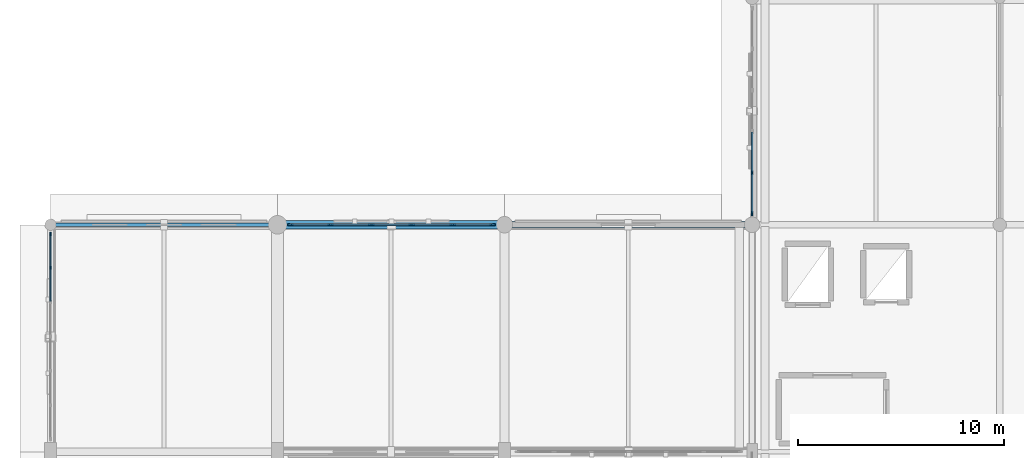
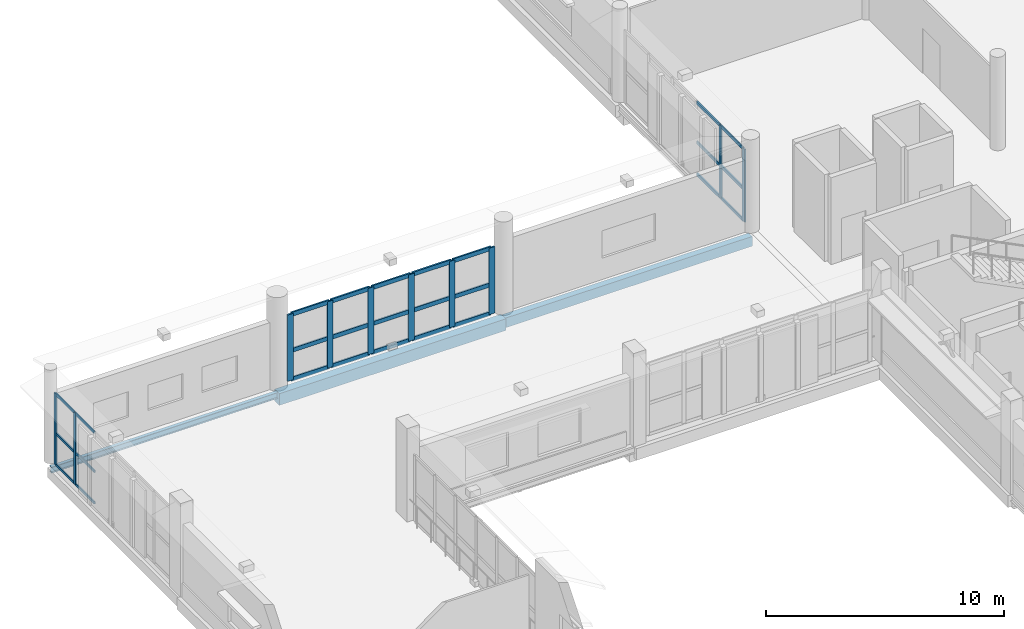
# One storey, part 43 of 143: 37 members, 3 beams, 3 elements without a shape of their own.
"""IFC4 building model written with IfcOpenShell, lengths in metres."""

from ifc_helpers import new_model, si_unit, direction, frame, origin, origin_2d, place, context, subcontext, project, spatial, rectangle, hollow_rectangle, i_section, extrude, material, material_profile, profile_set, type_object, element, aggregate, save


model = new_model("IFC4")

# Units and contexts
model_context = context("Model", 3, precision=1e-05, world=origin(), true_north=direction((0.0, 1.0)))
body_context = subcontext(model_context, "Body", "Model", "MODEL_VIEW")
ifc_project = project(units=[si_unit("LENGTHUNIT", "METRE"), si_unit("AREAUNIT", "SQUARE_METRE"), si_unit("VOLUMEUNIT", "CUBIC_METRE"), si_unit("PLANEANGLEUNIT", "RADIAN"), si_unit("MASSUNIT", "GRAM", prefix="KILO")], contexts=[model_context])

# Site, building, storey
site_placement = place(None, origin())
site = spatial("IfcSite", under=ifc_project, at=site_placement, CompositionType="ELEMENT")
building_placement = place(site_placement, origin())
building = spatial("IfcBuilding", under=site, at=building_placement, Name="Luwafu Chhajja Arena", CompositionType="ELEMENT")
storey_placement = place(building_placement, frame((0.0, 0.0, 5.39990234375)))
storey = spatial("IfcBuildingStorey", under=building, at=storey_placement, Name="L01", CompositionType="ELEMENT", Elevation=5.39990234375)

# Curtain wall, members
ifc_material_1 = material(Name="Anodised bronze aluminium", Category="aluminium")
curtain_wall_type_1 = type_object("IfcCurtainWallType", Name="Community Hall Street Curtain Wall", PredefinedType="USERDEFINED", material=ifc_material_1)
curtain_wall_1_placement = place(storey_placement, origin())
curtain_wall_1 = element("IfcCurtainWall", 1, at=curtain_wall_1_placement, inside=storey, type_object=curtain_wall_type_1, Name="L01 Curtain Wall CWG-L01-V00_08", ObjectType="CURTAIN WALL", PredefinedType="USERDEFINED")
ifc_material_profile_1 = material_profile(ifc_material_1, rectangle(XDim=0.06005859375, YDim=0.159912109375, at=origin_2d()), Name="CWM 60x160")
ifc_profile_set_1 = profile_set([ifc_material_profile_1], Name="Anodised bronze aluminium")
member_type_1 = type_object("IfcMemberType", Name="Bronze Curtain Wall Mullion 60x160", PredefinedType="MULLION", material=ifc_profile_set_1)
member_1_placement = place(storey_placement, frame((0.0, 96.919189453125, 0.030029296875), z_axis=(0.0, 0.0, 1.0), x_axis=(-1.0, 0.0, 0.0)))
member_1 = element("IfcMember", 2, at=member_1_placement, type_object=member_type_1, Name="CW-09 mullion 6", PredefinedType="MULLION", context=body_context, shape_type="SweptSolid", body=[
    extrude(rectangle(XDim=0.06005859375, YDim=0.159912109375, at=origin_2d()), origin(), (0.0, 0.0, 1.0), 3.676513671875),
])
member_2_placement = place(storey_placement, frame((0.0, 98.554931640625, 0.030029296875), z_axis=(0.0, 0.0, 1.0), x_axis=(-1.0, 0.0, 0.0)))
member_2 = element("IfcMember", 3, at=member_2_placement, type_object=member_type_1, Name="CW-09 mullion 7", PredefinedType="MULLION", context=body_context, shape_type="SweptSolid", body=[
    extrude(rectangle(XDim=0.06005859375, YDim=0.159912109375, at=origin_2d()), origin(), (0.0, 0.0, 1.0), 3.676513671875),
])

curtain_wall_type_2 = type_object("IfcCurtainWallType", Name="VIP Club Terrace Curtain Wall", PredefinedType="USERDEFINED", material=ifc_material_1)
curtain_wall_2_placement = place(storey_placement, origin())
curtain_wall_2 = element("IfcCurtainWall", 4, at=curtain_wall_2_placement, inside=storey, type_object=curtain_wall_type_2, Name="L01 Curtain Wall CWG-L01-V03_09", ObjectType="CURTAIN WALL", PredefinedType="USERDEFINED")
ifc_material_profile_2 = material_profile(ifc_material_1, rectangle(XDim=0.06494140625, YDim=0.199951171875, at=origin_2d()), Name="CWM 65x200")
ifc_profile_set_2 = profile_set([ifc_material_profile_2], Name="Anodised bronze aluminium")
member_type_2 = type_object("IfcMemberType", Name="Bronze Curtain Wall Mullion 65x200", PredefinedType="MULLION", material=ifc_profile_set_2)
member_3_placement = place(storey_placement, frame((34.0, 99.547607421875, 0.030029296875), z_axis=(0.0, 0.0, 1.0), x_axis=(-1.0, 0.0, 0.0)))
member_3 = element("IfcMember", 5, at=member_3_placement, type_object=member_type_2, Name="CW-10 mullion 1", PredefinedType="MULLION", context=body_context, shape_type="SweptSolid", body=[
    extrude(rectangle(XDim=0.06494140625, YDim=0.199951171875, at=origin_2d()), origin(), (0.0, 0.0, 1.0), 3.739990234375),
])
member_4_placement = place(storey_placement, frame((34.0, 101.51904296875, 0.030029296875), z_axis=(0.0, 0.0, 1.0), x_axis=(-1.0, 0.0, 0.0)))
member_4 = element("IfcMember", 6, at=member_4_placement, type_object=member_type_2, Name="CW-10 mullion 2", PredefinedType="MULLION", context=body_context, shape_type="SweptSolid", body=[
    extrude(rectangle(XDim=0.06494140625, YDim=0.199951171875, at=origin_2d()), origin(), (0.0, 0.0, 1.0), 3.739990234375),
])

# Member
ifc_material_profile_3 = material_profile(ifc_material_1, rectangle(XDim=0.06005859375, YDim=0.1298828125, at=origin_2d()), Name="CWT 60x130")
ifc_profile_set_3 = profile_set([ifc_material_profile_3], Name="Anodised bronze aluminium")
member_type_3 = type_object("IfcMemberType", Name="Bronze Curtain Wall Transom 60x130", PredefinedType="USERDEFINED", material=ifc_profile_set_3)
member_5_placement = place(storey_placement, frame((0.0, 95.283447265625, 0.06005859375), z_axis=(0.0, 1.0, 0.0), x_axis=(-1.0, 0.0, 0.0)))
member_5 = element("IfcMember", 7, at=member_5_placement, type_object=member_type_3, Name="CW-09 transom 5.1", ObjectType="TRANSOM", PredefinedType="USERDEFINED", context=body_context, shape_type="SweptSolid", body=[
    extrude(rectangle(XDim=0.06005859375, YDim=0.1298828125, at=origin_2d()), origin(), (0.0, 0.0, 1.0), 1.605712890625),
])

member_6_placement = place(storey_placement, frame((0.0, 95.283447265625, 1.66796875), z_axis=(0.0, 1.0, 0.0), x_axis=(-1.0, 0.0, 0.0)))
member_6 = element("IfcMember", 8, at=member_6_placement, type_object=member_type_3, Name="CW-09 transom 5.2", ObjectType="TRANSOM", PredefinedType="USERDEFINED", context=body_context, shape_type="SweptSolid", body=[
    extrude(rectangle(XDim=0.06005859375, YDim=0.1298828125, at=origin_2d()), origin(), (0.0, 0.0, 1.0), 1.605712890625),
])

member_7_placement = place(storey_placement, frame((0.0, 95.283447265625, 3.676513671875), z_axis=(0.0, 1.0, 0.0), x_axis=(-1.0, 0.0, 0.0)))
member_7 = element("IfcMember", 9, at=member_7_placement, type_object=member_type_3, Name="CW-09 transom 5.3", ObjectType="TRANSOM", PredefinedType="USERDEFINED", context=body_context, shape_type="SweptSolid", body=[
    extrude(rectangle(XDim=0.06005859375, YDim=0.1298828125, at=origin_2d()), origin(), (0.0, 0.0, 1.0), 1.605712890625),
])

member_8_placement = place(storey_placement, frame((0.0, 96.94921875, 0.06005859375), z_axis=(0.0, 1.0, 0.0), x_axis=(-1.0, 0.0, 0.0)))
member_8 = element("IfcMember", 10, at=member_8_placement, type_object=member_type_3, Name="CW-09 transom 6.1", ObjectType="TRANSOM", PredefinedType="USERDEFINED", context=body_context, shape_type="SweptSolid", body=[
    extrude(rectangle(XDim=0.06005859375, YDim=0.1298828125, at=origin_2d()), origin(), (0.0, 0.0, 1.0), 1.57568359375),
])

member_9_placement = place(storey_placement, frame((0.0, 96.94921875, 1.66796875), z_axis=(0.0, 1.0, 0.0), x_axis=(-1.0, 0.0, 0.0)))
member_9 = element("IfcMember", 11, at=member_9_placement, type_object=member_type_3, Name="CW-09 transom 6.2", ObjectType="TRANSOM", PredefinedType="USERDEFINED", context=body_context, shape_type="SweptSolid", body=[
    extrude(rectangle(XDim=0.06005859375, YDim=0.1298828125, at=origin_2d()), origin(), (0.0, 0.0, 1.0), 1.57568359375),
])

member_10_placement = place(storey_placement, frame((0.0, 96.94921875, 3.676513671875), z_axis=(0.0, 1.0, 0.0), x_axis=(-1.0, 0.0, 0.0)))
member_10 = element("IfcMember", 12, at=member_10_placement, type_object=member_type_3, Name="CW-09 transom 6.3", ObjectType="TRANSOM", PredefinedType="USERDEFINED", context=body_context, shape_type="SweptSolid", body=[
    extrude(rectangle(XDim=0.06005859375, YDim=0.1298828125, at=origin_2d()), origin(), (0.0, 0.0, 1.0), 1.57568359375),
])

aggregate(curtain_wall_1, [member_1, member_2, member_5, member_6, member_7, member_8, member_9, member_10])

ifc_material_profile_4 = material_profile(ifc_material_1, rectangle(XDim=0.06494140625, YDim=0.14990234375, at=origin_2d()), Name="CWT 65x150")
ifc_profile_set_4 = profile_set([ifc_material_profile_4], Name="Anodised bronze aluminium")
member_type_4 = type_object("IfcMemberType", Name="Bronze Curtain Wall Transom 65x150", PredefinedType="USERDEFINED", material=ifc_profile_set_4)
member_11_placement = place(storey_placement, frame((34.0, 99.580078125, 0.0625), z_axis=(0.0, 1.0, 0.0), x_axis=(-1.0, 0.0, 0.0)))
member_11 = element("IfcMember", 13, at=member_11_placement, type_object=member_type_4, Name="CW-10 transom 1.1", ObjectType="TRANSOM", PredefinedType="USERDEFINED", context=body_context, shape_type="SweptSolid", body=[
    extrude(rectangle(XDim=0.06494140625, YDim=0.14990234375, at=origin_2d()), origin(), (0.0, 0.0, 1.0), 1.906494140625),
])

member_12_placement = place(storey_placement, frame((34.0, 99.580078125, 1.696533203125), z_axis=(0.0, 1.0, 0.0), x_axis=(-1.0, 0.0, 0.0)))
member_12 = element("IfcMember", 14, at=member_12_placement, type_object=member_type_4, Name="CW-10 transom 1.2", ObjectType="TRANSOM", PredefinedType="USERDEFINED", context=body_context, shape_type="SweptSolid", body=[
    extrude(rectangle(XDim=0.06494140625, YDim=0.14990234375, at=origin_2d()), origin(), (0.0, 0.0, 1.0), 1.906494140625),
])

member_13_placement = place(storey_placement, frame((34.0, 99.580078125, 3.7373046875), z_axis=(0.0, 1.0, 0.0), x_axis=(-1.0, 0.0, 0.0)))
member_13 = element("IfcMember", 15, at=member_13_placement, type_object=member_type_4, Name="CW-10 transom 1.3", ObjectType="TRANSOM", PredefinedType="USERDEFINED", context=body_context, shape_type="SweptSolid", body=[
    extrude(rectangle(XDim=0.06494140625, YDim=0.14990234375, at=origin_2d()), origin(), (0.0, 0.0, 1.0), 1.906494140625),
])

member_14_placement = place(storey_placement, frame((34.0, 101.551513671875, 0.0625), z_axis=(0.0, 1.0, 0.0), x_axis=(-1.0, 0.0, 0.0)))
member_14 = element("IfcMember", 16, at=member_14_placement, type_object=member_type_4, Name="CW-10 transom 2.1", ObjectType="TRANSOM", PredefinedType="USERDEFINED", context=body_context, shape_type="SweptSolid", body=[
    extrude(rectangle(XDim=0.06494140625, YDim=0.14990234375, at=origin_2d()), origin(), (0.0, 0.0, 1.0), 1.93896484375),
])

member_15_placement = place(storey_placement, frame((34.0, 101.551513671875, 1.696533203125), z_axis=(0.0, 1.0, 0.0), x_axis=(-1.0, 0.0, 0.0)))
member_15 = element("IfcMember", 17, at=member_15_placement, type_object=member_type_4, Name="CW-10 transom 2.2", ObjectType="TRANSOM", PredefinedType="USERDEFINED", context=body_context, shape_type="SweptSolid", body=[
    extrude(rectangle(XDim=0.06494140625, YDim=0.14990234375, at=origin_2d()), origin(), (0.0, 0.0, 1.0), 1.93896484375),
])

member_16_placement = place(storey_placement, frame((34.0, 101.551513671875, 3.7373046875), z_axis=(0.0, 1.0, 0.0), x_axis=(-1.0, 0.0, 0.0)))
member_16 = element("IfcMember", 18, at=member_16_placement, type_object=member_type_4, Name="CW-10 transom 2.3", ObjectType="TRANSOM", PredefinedType="USERDEFINED", context=body_context, shape_type="SweptSolid", body=[
    extrude(rectangle(XDim=0.06494140625, YDim=0.14990234375, at=origin_2d()), origin(), (0.0, 0.0, 1.0), 1.93896484375),
])

aggregate(curtain_wall_2, [member_3, member_4, member_11, member_12, member_13, member_14, member_15, member_16])

# Beam
ifc_material_2 = material(Name="Steel S355", Category="steel")
ifc_material_profile_5 = material_profile(ifc_material_2, i_section(OverallWidth=0.165771484375, OverallDepth=0.306640625, WebThickness=0.006591796875, FlangeThickness=0.01171875, at=origin_2d()), Name="UB 305x165x46")
ifc_profile_set_5 = profile_set([ifc_material_profile_5], Name="Steel S355")
beam_type_1 = type_object("IfcBeamType", Name="Concourse Edge Spandrel Beam UB 305x165x46", PredefinedType="SPANDREL", material=ifc_profile_set_5)
beam_1_placement = place(storey_placement, frame((0.0, 99.0, -0.483154296875), z_axis=(1.0, 0.0, 0.0), x_axis=(0.0, 1.0, 0.0)))
element("IfcBeam", 19, at=beam_1_placement, inside=storey, type_object=beam_type_1, Name="L01 Grid Beam 1-2/K", PredefinedType="SPANDREL", context=body_context, shape_type="SweptSolid", body=[
    extrude(i_section(OverallWidth=0.165771484375, OverallDepth=0.306640625, WebThickness=0.006591796875, FlangeThickness=0.01171875, at=origin_2d()), origin(), (0.0, 0.0, 1.0), 11.0),
])

# Curtain wall, members
curtain_wall_type_3 = type_object("IfcCurtainWallType", Name="Pishtaq Monumental Portal Curtain Wall", PredefinedType="USERDEFINED", material=ifc_material_1)
curtain_wall_3_placement = place(storey_placement, origin())
curtain_wall_3 = element("IfcCurtainWall", 20, at=curtain_wall_3_placement, inside=storey, type_object=curtain_wall_type_3, Name="L01 Curtain Wall CWG-L01-H01_09", ObjectType="CURTAIN WALL", PredefinedType="USERDEFINED")
ifc_material_profile_6 = material_profile(ifc_material_1, rectangle(XDim=0.080078125, YDim=0.280029296875, at=origin_2d()), Name="CWM 80x280")
ifc_profile_set_6 = profile_set([ifc_material_profile_6], Name="Anodised bronze aluminium")
member_type_5 = type_object("IfcMemberType", Name="Pishtaq Portal Mullion 80x280", PredefinedType="MULLION", material=ifc_profile_set_6)
member_17_placement = place(storey_placement, frame((11.6298828125, 99.0, 0.030029296875), z_axis=(0.0, 0.0, 1.0), x_axis=(0.0, 1.0, 0.0)))
member_17 = element("IfcMember", 21, at=member_17_placement, type_object=member_type_5, Name="CW-04 mullion 1", PredefinedType="MULLION", context=body_context, shape_type="SweptSolid", body=[
    extrude(rectangle(XDim=0.080078125, YDim=0.280029296875, at=origin_2d()), origin(), (0.0, 0.0, 1.0), 3.41015625),
])
member_18_placement = place(storey_placement, frame((13.56396484375, 99.0, 0.030029296875), z_axis=(0.0, 0.0, 1.0), x_axis=(0.0, 1.0, 0.0)))
member_18 = element("IfcMember", 22, at=member_18_placement, type_object=member_type_5, Name="CW-04 mullion 2", PredefinedType="MULLION", context=body_context, shape_type="SweptSolid", body=[
    extrude(rectangle(XDim=0.080078125, YDim=0.280029296875, at=origin_2d()), origin(), (0.0, 0.0, 1.0), 3.41015625),
])
member_19_placement = place(storey_placement, frame((15.5380859375, 99.0, 0.030029296875), z_axis=(0.0, 0.0, 1.0), x_axis=(0.0, 1.0, 0.0)))
member_19 = element("IfcMember", 23, at=member_19_placement, type_object=member_type_5, Name="CW-04 mullion 3", PredefinedType="MULLION", context=body_context, shape_type="SweptSolid", body=[
    extrude(rectangle(XDim=0.080078125, YDim=0.280029296875, at=origin_2d()), origin(), (0.0, 0.0, 1.0), 3.41015625),
])
member_20_placement = place(storey_placement, frame((17.511962890625, 99.0, 0.030029296875), z_axis=(0.0, 0.0, 1.0), x_axis=(0.0, 1.0, 0.0)))
member_20 = element("IfcMember", 24, at=member_20_placement, type_object=member_type_5, Name="CW-04 mullion 4", PredefinedType="MULLION", context=body_context, shape_type="SweptSolid", body=[
    extrude(rectangle(XDim=0.080078125, YDim=0.280029296875, at=origin_2d()), origin(), (0.0, 0.0, 1.0), 3.41015625),
])
member_21_placement = place(storey_placement, frame((19.486083984375, 99.0, 0.030029296875), z_axis=(0.0, 0.0, 1.0), x_axis=(0.0, 1.0, 0.0)))
member_21 = element("IfcMember", 25, at=member_21_placement, type_object=member_type_5, Name="CW-04 mullion 5", PredefinedType="MULLION", context=body_context, shape_type="SweptSolid", body=[
    extrude(rectangle(XDim=0.080078125, YDim=0.280029296875, at=origin_2d()), origin(), (0.0, 0.0, 1.0), 3.41015625),
])
member_22_placement = place(storey_placement, frame((21.419921875, 99.0, 0.030029296875), z_axis=(0.0, 0.0, 1.0), x_axis=(0.0, 1.0, 0.0)))
member_22 = element("IfcMember", 26, at=member_22_placement, type_object=member_type_5, Name="CW-04 mullion 6", PredefinedType="MULLION", context=body_context, shape_type="SweptSolid", body=[
    extrude(rectangle(XDim=0.080078125, YDim=0.280029296875, at=origin_2d()), origin(), (0.0, 0.0, 1.0), 3.41015625),
])
ifc_material_profile_7 = material_profile(ifc_material_1, rectangle(XDim=0.080078125, YDim=0.2099609375, at=origin_2d()), Name="CWT 80x210")
ifc_profile_set_7 = profile_set([ifc_material_profile_7], Name="Anodised bronze aluminium")
member_type_6 = type_object("IfcMemberType", Name="Pishtaq Portal Transom 80x210", PredefinedType="USERDEFINED", material=ifc_profile_set_7)
member_23_placement = place(storey_placement, frame((11.669921875, 99.0, 0.070068359375), z_axis=(1.0, 0.0, 0.0), x_axis=(0.0, 1.0, 0.0)))
member_23 = element("IfcMember", 27, at=member_23_placement, type_object=member_type_6, Name="CW-04 transom 1.1", ObjectType="TRANSOM", PredefinedType="USERDEFINED", context=body_context, shape_type="SweptSolid", body=[
    extrude(rectangle(XDim=0.080078125, YDim=0.2099609375, at=origin_2d()), origin(), (0.0, 0.0, 1.0), 1.85400390625),
])
member_24_placement = place(storey_placement, frame((11.669921875, 99.0, 1.548095703125), z_axis=(1.0, 0.0, 0.0), x_axis=(0.0, 1.0, 0.0)))
member_24 = element("IfcMember", 28, at=member_24_placement, type_object=member_type_6, Name="CW-04 transom 1.2", ObjectType="TRANSOM", PredefinedType="USERDEFINED", context=body_context, shape_type="SweptSolid", body=[
    extrude(rectangle(XDim=0.080078125, YDim=0.2099609375, at=origin_2d()), origin(), (0.0, 0.0, 1.0), 1.85400390625),
])
member_25_placement = place(storey_placement, frame((11.669921875, 99.0, 3.400146484375), z_axis=(1.0, 0.0, 0.0), x_axis=(0.0, 1.0, 0.0)))
member_25 = element("IfcMember", 29, at=member_25_placement, type_object=member_type_6, Name="CW-04 transom 1.3", ObjectType="TRANSOM", PredefinedType="USERDEFINED", context=body_context, shape_type="SweptSolid", body=[
    extrude(rectangle(XDim=0.080078125, YDim=0.2099609375, at=origin_2d()), origin(), (0.0, 0.0, 1.0), 1.85400390625),
])
member_26_placement = place(storey_placement, frame((13.60400390625, 99.0, 0.070068359375), z_axis=(1.0, 0.0, 0.0), x_axis=(0.0, 1.0, 0.0)))
member_26 = element("IfcMember", 30, at=member_26_placement, type_object=member_type_6, Name="CW-04 transom 2.1", ObjectType="TRANSOM", PredefinedType="USERDEFINED", context=body_context, shape_type="SweptSolid", body=[
    extrude(rectangle(XDim=0.080078125, YDim=0.2099609375, at=origin_2d()), origin(), (0.0, 0.0, 1.0), 1.89404296875),
])
member_27_placement = place(storey_placement, frame((13.60400390625, 99.0, 1.548095703125), z_axis=(1.0, 0.0, 0.0), x_axis=(0.0, 1.0, 0.0)))
member_27 = element("IfcMember", 31, at=member_27_placement, type_object=member_type_6, Name="CW-04 transom 2.2", ObjectType="TRANSOM", PredefinedType="USERDEFINED", context=body_context, shape_type="SweptSolid", body=[
    extrude(rectangle(XDim=0.080078125, YDim=0.2099609375, at=origin_2d()), origin(), (0.0, 0.0, 1.0), 1.89404296875),
])
member_28_placement = place(storey_placement, frame((13.60400390625, 99.0, 3.400146484375), z_axis=(1.0, 0.0, 0.0), x_axis=(0.0, 1.0, 0.0)))
member_28 = element("IfcMember", 32, at=member_28_placement, type_object=member_type_6, Name="CW-04 transom 2.3", ObjectType="TRANSOM", PredefinedType="USERDEFINED", context=body_context, shape_type="SweptSolid", body=[
    extrude(rectangle(XDim=0.080078125, YDim=0.2099609375, at=origin_2d()), origin(), (0.0, 0.0, 1.0), 1.89404296875),
])
member_29_placement = place(storey_placement, frame((15.577880859375, 99.0, 0.070068359375), z_axis=(1.0, 0.0, 0.0), x_axis=(0.0, 1.0, 0.0)))
member_29 = element("IfcMember", 33, at=member_29_placement, type_object=member_type_6, Name="CW-04 transom 3.1", ObjectType="TRANSOM", PredefinedType="USERDEFINED", context=body_context, shape_type="SweptSolid", body=[
    extrude(rectangle(XDim=0.080078125, YDim=0.2099609375, at=origin_2d()), origin(), (0.0, 0.0, 1.0), 1.89404296875),
])
member_30_placement = place(storey_placement, frame((15.577880859375, 99.0, 1.548095703125), z_axis=(1.0, 0.0, 0.0), x_axis=(0.0, 1.0, 0.0)))
member_30 = element("IfcMember", 34, at=member_30_placement, type_object=member_type_6, Name="CW-04 transom 3.2", ObjectType="TRANSOM", PredefinedType="USERDEFINED", context=body_context, shape_type="SweptSolid", body=[
    extrude(rectangle(XDim=0.080078125, YDim=0.2099609375, at=origin_2d()), origin(), (0.0, 0.0, 1.0), 1.89404296875),
])
member_31_placement = place(storey_placement, frame((15.577880859375, 99.0, 3.400146484375), z_axis=(1.0, 0.0, 0.0), x_axis=(0.0, 1.0, 0.0)))
member_31 = element("IfcMember", 35, at=member_31_placement, type_object=member_type_6, Name="CW-04 transom 3.3", ObjectType="TRANSOM", PredefinedType="USERDEFINED", context=body_context, shape_type="SweptSolid", body=[
    extrude(rectangle(XDim=0.080078125, YDim=0.2099609375, at=origin_2d()), origin(), (0.0, 0.0, 1.0), 1.89404296875),
])
member_32_placement = place(storey_placement, frame((17.552001953125, 99.0, 0.070068359375), z_axis=(1.0, 0.0, 0.0), x_axis=(0.0, 1.0, 0.0)))
member_32 = element("IfcMember", 36, at=member_32_placement, type_object=member_type_6, Name="CW-04 transom 4.1", ObjectType="TRANSOM", PredefinedType="USERDEFINED", context=body_context, shape_type="SweptSolid", body=[
    extrude(rectangle(XDim=0.080078125, YDim=0.2099609375, at=origin_2d()), origin(), (0.0, 0.0, 1.0), 1.89404296875),
])
member_33_placement = place(storey_placement, frame((17.552001953125, 99.0, 1.548095703125), z_axis=(1.0, 0.0, 0.0), x_axis=(0.0, 1.0, 0.0)))
member_33 = element("IfcMember", 37, at=member_33_placement, type_object=member_type_6, Name="CW-04 transom 4.2", ObjectType="TRANSOM", PredefinedType="USERDEFINED", context=body_context, shape_type="SweptSolid", body=[
    extrude(rectangle(XDim=0.080078125, YDim=0.2099609375, at=origin_2d()), origin(), (0.0, 0.0, 1.0), 1.89404296875),
])
member_34_placement = place(storey_placement, frame((17.552001953125, 99.0, 3.400146484375), z_axis=(1.0, 0.0, 0.0), x_axis=(0.0, 1.0, 0.0)))
member_34 = element("IfcMember", 38, at=member_34_placement, type_object=member_type_6, Name="CW-04 transom 4.3", ObjectType="TRANSOM", PredefinedType="USERDEFINED", context=body_context, shape_type="SweptSolid", body=[
    extrude(rectangle(XDim=0.080078125, YDim=0.2099609375, at=origin_2d()), origin(), (0.0, 0.0, 1.0), 1.89404296875),
])
member_35_placement = place(storey_placement, frame((19.52587890625, 99.0, 0.070068359375), z_axis=(1.0, 0.0, 0.0), x_axis=(0.0, 1.0, 0.0)))
member_35 = element("IfcMember", 39, at=member_35_placement, type_object=member_type_6, Name="CW-04 transom 5.1", ObjectType="TRANSOM", PredefinedType="USERDEFINED", context=body_context, shape_type="SweptSolid", body=[
    extrude(rectangle(XDim=0.080078125, YDim=0.2099609375, at=origin_2d()), origin(), (0.0, 0.0, 1.0), 1.85400390625),
])
member_36_placement = place(storey_placement, frame((19.52587890625, 99.0, 1.548095703125), z_axis=(1.0, 0.0, 0.0), x_axis=(0.0, 1.0, 0.0)))
member_36 = element("IfcMember", 40, at=member_36_placement, type_object=member_type_6, Name="CW-04 transom 5.2", ObjectType="TRANSOM", PredefinedType="USERDEFINED", context=body_context, shape_type="SweptSolid", body=[
    extrude(rectangle(XDim=0.080078125, YDim=0.2099609375, at=origin_2d()), origin(), (0.0, 0.0, 1.0), 1.85400390625),
])
member_37_placement = place(storey_placement, frame((19.52587890625, 99.0, 3.400146484375), z_axis=(1.0, 0.0, 0.0), x_axis=(0.0, 1.0, 0.0)))
member_37 = element("IfcMember", 41, at=member_37_placement, type_object=member_type_6, Name="CW-04 transom 5.3", ObjectType="TRANSOM", PredefinedType="USERDEFINED", context=body_context, shape_type="SweptSolid", body=[
    extrude(rectangle(XDim=0.080078125, YDim=0.2099609375, at=origin_2d()), origin(), (0.0, 0.0, 1.0), 1.85400390625),
])
aggregate(curtain_wall_3, [member_17, member_18, member_19, member_20, member_21, member_22, member_23, member_24, member_25, member_26, member_27, member_28, member_29, member_30, member_31, member_32, member_33, member_34, member_35, member_36, member_37])

# Beams
ifc_material_profile_8 = material_profile(ifc_material_2, hollow_rectangle(XDim=0.300048828125, YDim=0.5, WallThickness=0.02001953125, at=origin_2d()), Name="RHS 500x300x20")
ifc_profile_set_8 = profile_set([ifc_material_profile_8], Name="Steel S355")
beam_type_2 = type_object("IfcBeamType", Name="Pleated Drum Spandrel Beam RHS 500x300", PredefinedType="SPANDREL", material=ifc_profile_set_8)
beam_2_placement = place(storey_placement, frame((22.0, 99.0, -0.579833984375), z_axis=(1.0, 0.0, 0.0), x_axis=(0.0, 1.0, 0.0)))
element("IfcBeam", 42, at=beam_2_placement, inside=storey, type_object=beam_type_2, Name="L01 Grid Beam 3-4/K", PredefinedType="SPANDREL", context=body_context, shape_type="SweptSolid", body=[
    extrude(hollow_rectangle(XDim=0.300048828125, YDim=0.5, WallThickness=0.02001953125, at=origin_2d()), origin(), (0.0, 0.0, 1.0), 12.0),
])
ifc_material_3 = material(Name="Concrete C35/45", Category="concrete")
ifc_material_profile_9 = material_profile(ifc_material_3, rectangle(XDim=0.39990234375, YDim=0.60009765625, at=origin_2d()), Name="RC 400x600")
ifc_profile_set_9 = profile_set([ifc_material_profile_9], Name="Concrete C35/45")
beam_type_3 = type_object("IfcBeamType", Name="Podium Perimeter Spandrel RC 400x600", PredefinedType="SPANDREL", material=ifc_profile_set_9)
beam_3_placement = place(storey_placement, frame((11.0, 99.0, -0.6298828125), z_axis=(1.0, 0.0, 0.0), x_axis=(0.0, 1.0, 0.0)))
element("IfcBeam", 43, at=beam_3_placement, inside=storey, type_object=beam_type_3, Name="L01 Grid Beam 2-3/K", PredefinedType="SPANDREL", context=body_context, shape_type="SweptSolid", body=[
    extrude(rectangle(XDim=0.39990234375, YDim=0.60009765625, at=origin_2d()), origin(), (0.0, 0.0, 1.0), 11.0),
])

save(model, "model.ifc")
